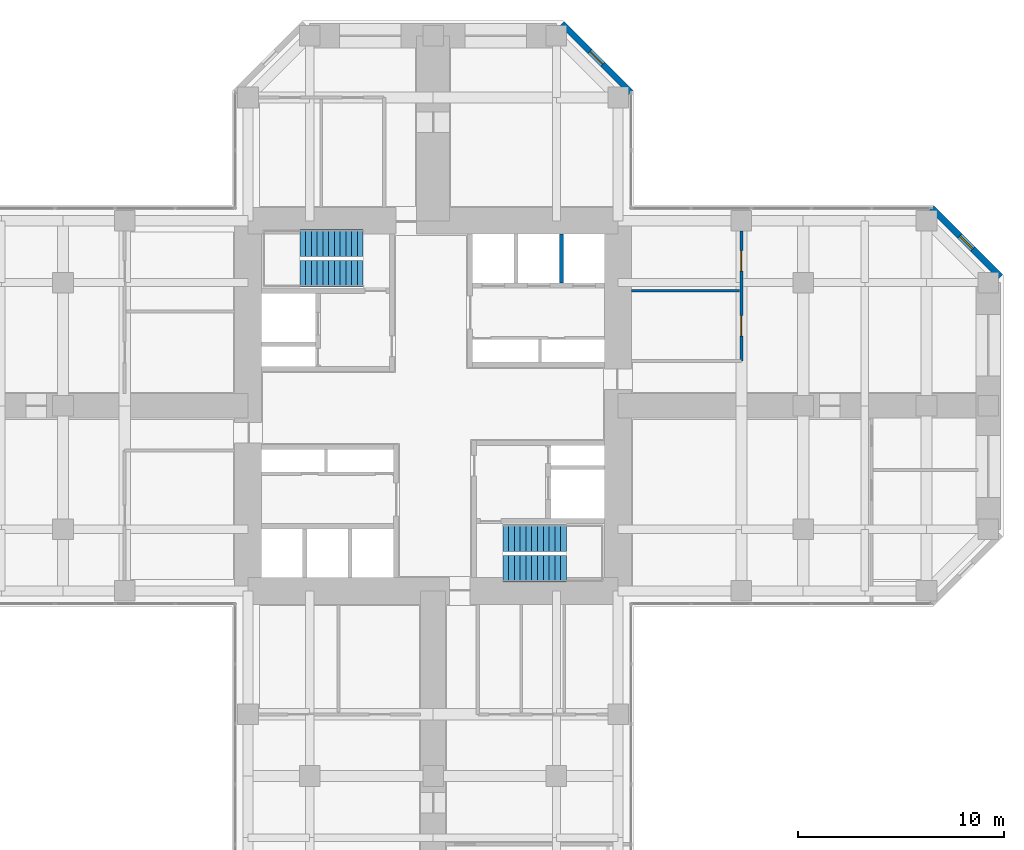
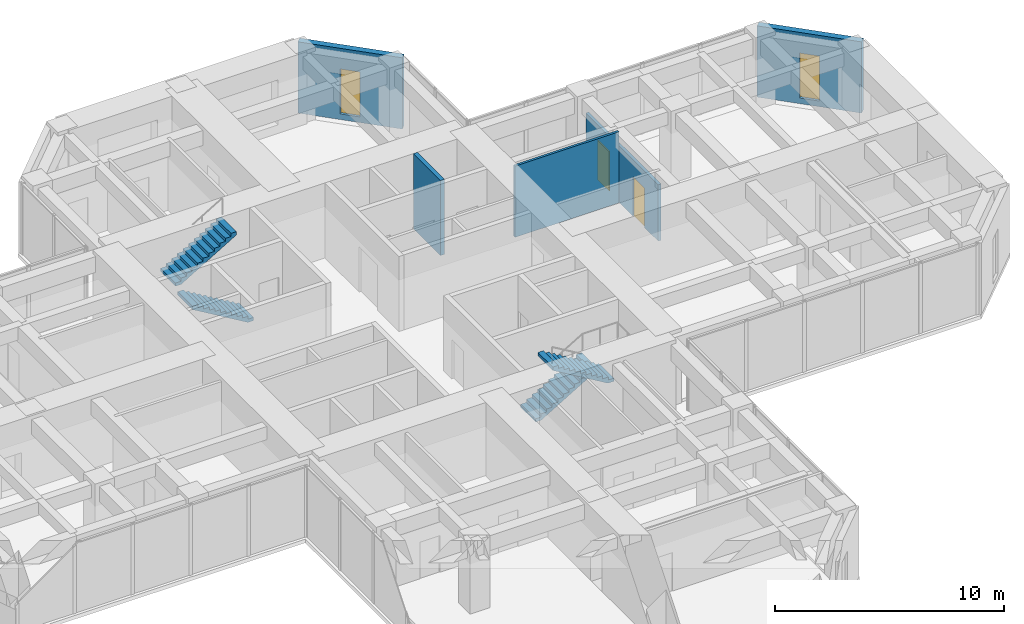
# One storey, part 11 of 12: 5 walls, 4 stair flights, 2 doors, 2 windows, 4 openings, 2 elements without a shape of their own.
"""IFC4 building model written with IfcOpenShell, lengths in metres."""

import ifcopenshell
import ifcopenshell.guid

model = None  # the IFC model being written
_history = None  # IfcOwnerHistory: only IFC2X3 demands one
_inside = {}  # id of a spatial element -> (the spatial element, [elements in it])
_under = {}  # id of a project, library or spatial element -> (it, [spatial elements below it])
_declared = {}  # id of a project -> (the project, [libraries it declares])
_typed = {}  # id of a type object -> (the type object, [elements of that type])
_made_of = {}  # id of a material, layer set ... -> (it, [elements and type objects made of it])


def new_model(schema):
    """Start an empty IFC model of exactly this schema.

    Asked for "IFC4X3", IfcOpenShell would pick the latest addendum, in which some entities
    have other attributes; the version numbers below select the first issue.
    IFC2X3 requires an IfcOwnerHistory on every rooted entity: one is made here for all.
    """
    global model, _history
    if schema == "IFC4X3":
        model = ifcopenshell.file(schema_version=(4, 3, 0, 0))
    else:
        model = ifcopenshell.file(schema=schema)
    _inside.clear()
    _under.clear()
    _declared.clear()
    _typed.clear()
    _made_of.clear()
    _history = None
    if model.schema == "IFC2X3":
        org = make("IfcOrganization", Name="unknown")
        user = make(
            "IfcPersonAndOrganization",
            ThePerson=make("IfcPerson", FamilyName="unknown"),
            TheOrganization=org,
        )
        app = make(
            "IfcApplication",
            ApplicationDeveloper=org,
            Version="unknown",
            ApplicationFullName="unknown",
            ApplicationIdentifier="unknown",
        )
        _history = make(
            "IfcOwnerHistory",
            OwningUser=user,
            OwningApplication=app,
            ChangeAction="ADDED",
            CreationDate=0,
        )
    return model


def make(cls, **values):
    """One entity of the class cls with the attributes given. An attribute that is None is left unset."""
    return model.create_entity(
        cls, **{name: value for name, value in values.items() if value is not None}
    )


def rooted(cls, **values):
    """An entity with a GlobalId (a new one), such as an element, a storey or a relation."""
    return make(cls, GlobalId=ifcopenshell.guid.new(), OwnerHistory=_history, **values)


def si_unit(unit_type, name, prefix=None):
    """IfcSIUnit, for example si_unit("LENGTHUNIT", "METRE", prefix="MILLI")."""
    return make("IfcSIUnit", UnitType=unit_type, Prefix=prefix, Name=name)


def assignment(units):
    """IfcUnitAssignment: the units of a project."""
    return None if units is None else make("IfcUnitAssignment", Units=units)


def point(xyz):
    """IfcCartesianPoint."""
    return None if xyz is None else make("IfcCartesianPoint", Coordinates=xyz)


def direction(xyz):
    """IfcDirection."""
    return None if xyz is None else make("IfcDirection", DirectionRatios=xyz)


def frame(location, z_axis=None, x_axis=None):
    """IfcAxis2Placement3D, a coordinate frame: its origin and axes. An axis left out is left unset."""
    return make(
        "IfcAxis2Placement3D",
        Location=point(location),
        Axis=direction(z_axis),
        RefDirection=direction(x_axis),
    )


def frame_2d(location, x_axis=None):
    """IfcAxis2Placement2D, a coordinate frame in the plane: its origin and x axis."""
    return make(
        "IfcAxis2Placement2D", Location=point(location), RefDirection=direction(x_axis)
    )


def origin():
    """The frame at (0, 0, 0) with its axes left unset."""
    return frame((0.0, 0.0, 0.0))


def place(relative_to, where):
    """IfcLocalPlacement: puts the frame where relative to a parent placement (None: the world)."""
    return make(
        "IfcLocalPlacement", PlacementRelTo=relative_to, RelativePlacement=where
    )


def context(
    kind, dimensions, precision=None, world=None, true_north=None, identifier=None
):
    """IfcGeometricRepresentationContext, for example the 3D "Model" context."""
    return make(
        "IfcGeometricRepresentationContext",
        ContextIdentifier=identifier,
        ContextType=kind,
        CoordinateSpaceDimension=dimensions,
        Precision=precision,
        WorldCoordinateSystem=world,
        TrueNorth=true_north,
    )


def subcontext(parent, identifier, kind, view, scale=None):
    """IfcGeometricRepresentationSubContext, for example "Body" below "Model"."""
    return make(
        "IfcGeometricRepresentationSubContext",
        ContextIdentifier=identifier,
        ContextType=kind,
        ParentContext=parent,
        TargetScale=scale,
        TargetView=view,
    )


def project(units=None, contexts=None):
    """IfcProject with its units and contexts."""
    return rooted(
        "IfcProject",
        Name="project",
        RepresentationContexts=contexts,
        UnitsInContext=assignment(units),
    )


def spatial(cls, under=None, at=None, **own):
    """A site, building, storey or space (cls), placed at a placement, below another one or the project."""
    s = rooted(cls, ObjectPlacement=at, **own)
    if under is not None:
        _under.setdefault(under.id(), (under, []))[1].append(s)
    return s


def polyline(points):
    """IfcPolyline through the points."""
    return make("IfcPolyline", Points=[point(p) for p in points])


def profile(cls, at=None, kind="AREA", **sizes):
    """A parametric profile (cls). Its sizes go by their IFC names, for example OverallWidth=200.0."""
    return make(cls, ProfileType=kind, Position=at, **sizes)


def rectangle(**sizes):
    """IfcRectangleProfileDef."""
    return profile("IfcRectangleProfileDef", **sizes)


def hollow_rectangle(**sizes):
    """IfcRectangleHollowProfileDef."""
    return profile("IfcRectangleHollowProfileDef", **sizes)


def outline(outer, holes=None, kind="AREA"):
    """IfcArbitraryClosedProfileDef: a profile drawn as a closed curve; with holes, ...WithVoids."""
    if holes is None:
        return make("IfcArbitraryClosedProfileDef", ProfileType=kind, OuterCurve=outer)
    return make(
        "IfcArbitraryProfileDefWithVoids",
        ProfileType=kind,
        OuterCurve=outer,
        InnerCurves=holes,
    )


def extrude(swept, where, along, depth):
    """IfcExtrudedAreaSolid: the profile swept, set in the frame where, extruded along a direction by depth."""
    return make(
        "IfcExtrudedAreaSolid",
        SweptArea=swept,
        Position=where,
        ExtrudedDirection=direction(along),
        Depth=depth,
    )


def shape(context_of_items, identifier, shape_type, items):
    """IfcShapeRepresentation: the items that make up one representation, for example the "Body"."""
    return make(
        "IfcShapeRepresentation",
        ContextOfItems=context_of_items,
        RepresentationIdentifier=identifier,
        RepresentationType=shape_type,
        Items=items,
    )


def material(Name=None, Category=None):
    """IfcMaterial."""
    return make("IfcMaterial", Name=Name, Category=Category)


def layer(
    of_material, thickness, ventilated=None, Name=None, Category=None, Priority=None
):
    """IfcMaterialLayer: one layer of a wall or slab, of a material (None: an air gap)."""
    return make(
        "IfcMaterialLayer",
        Material=of_material,
        LayerThickness=thickness,
        IsVentilated=ventilated,
        Name=Name,
        Category=Category,
        Priority=Priority,
    )


def layer_set(layers, Name=None):
    """IfcMaterialLayerSet."""
    return make("IfcMaterialLayerSet", MaterialLayers=layers, LayerSetName=Name)


def constituent(of_material, Name=None, Category=None, fraction=None):
    """IfcMaterialConstituent: one of the materials an element consists of."""
    return make(
        "IfcMaterialConstituent",
        Name=Name,
        Material=of_material,
        Fraction=fraction,
        Category=Category,
    )


def constituent_set(constituents=None, Name=None):
    """IfcMaterialConstituentSet."""
    return make(
        "IfcMaterialConstituentSet", Name=Name, MaterialConstituents=constituents
    )


def made_of(thing, what):
    """Note that an element or type object is made of a material, layer set ...; save() writes the relation."""
    if what is not None:
        _made_of.setdefault(what.id(), (what, []))[1].append(thing)
    return thing


def type_object(cls, material=None, **own):
    """A type object (cls), such as IfcWallType, which elements share."""
    return made_of(rooted(cls, **own), material)


def element(
    cls,
    number,
    at=None,
    inside=None,
    cuts=None,
    type_object=None,
    material=None,
    context=None,
    identifier="Body",
    shape_type=None,
    held_by="IfcProductDefinitionShape",
    body=None,
    shapes=None,
    **own,
):
    """One element of the class cls, such as IfcWall. Its Tag is "e" and its number.

    at: its placement. inside: the storey or other place that contains it. cuts: it is an
    opening in that element (IfcRelVoidsElement). A single representation is given by context,
    identifier, shape_type and body (its items); several are given by shapes. held_by: the class
    of the entity that holds the representations. save() writes the other relations.
    """
    e = rooted(cls, Tag="e%d" % number, ObjectPlacement=at, **own)
    if body is not None:
        shapes = [shape(context, identifier, shape_type, body)]
    if shapes is not None:
        e.Representation = make(held_by, Representations=shapes)
    if inside is not None:
        _inside.setdefault(inside.id(), (inside, []))[1].append(e)
    if cuts is not None:
        rooted(
            "IfcRelVoidsElement", RelatingBuildingElement=cuts, RelatedOpeningElement=e
        )
    if type_object is not None:
        _typed.setdefault(type_object.id(), (type_object, []))[1].append(e)
    return made_of(e, material)


def fill(opening, filler):
    """IfcRelFillsElement: the door or window that sits in an opening."""
    return rooted(
        "IfcRelFillsElement",
        RelatingOpeningElement=opening,
        RelatedBuildingElement=filler,
    )


def aggregate(whole, parts):
    """IfcRelAggregates: a whole, such as a stair, and the parts it consists of."""
    return rooted("IfcRelAggregates", RelatingObject=whole, RelatedObjects=parts)


def save(model, path):
    """Write the relations noted so far, then the file.

    IfcRelAggregates (storeys below a building ...), IfcRelContainedInSpatialStructure (elements
    in a storey), IfcRelDefinesByType, IfcRelAssociatesMaterial and IfcRelDeclares: one each for
    every whole, place, type object, material and project.
    """
    for whole, parts in _under.values():
        aggregate(whole, parts)
    for where, things in _inside.values():
        rooted(
            "IfcRelContainedInSpatialStructure",
            RelatedElements=things,
            RelatingStructure=where,
        )
    for kind, things in _typed.values():
        rooted("IfcRelDefinesByType", RelatedObjects=things, RelatingType=kind)
    for what, things in _made_of.values():
        rooted("IfcRelAssociatesMaterial", RelatedObjects=things, RelatingMaterial=what)
    for by, libraries in _declared.values():
        rooted("IfcRelDeclares", RelatingContext=by, RelatedDefinitions=libraries)
    model.write(path)


model = new_model("IFC4")

# Units and contexts
model_context = context("Model", 3, precision=1e-05, world=origin(), true_north=direction((0.0, 1.0)))
body_context = subcontext(model_context, "Body", "Model", "MODEL_VIEW")
ifc_project = project(units=[si_unit("LENGTHUNIT", "METRE"), si_unit("AREAUNIT", "SQUARE_METRE"), si_unit("VOLUMEUNIT", "CUBIC_METRE"), si_unit("PLANEANGLEUNIT", "RADIAN"), si_unit("MASSUNIT", "GRAM", prefix="KILO")], contexts=[model_context])

# Site, building, storey
site_placement = place(None, origin())
site = spatial("IfcSite", under=ifc_project, at=site_placement, CompositionType="ELEMENT")
building_placement = place(site_placement, origin())
building = spatial("IfcBuilding", under=site, at=building_placement, Name="Torre Cruceta", CompositionType="ELEMENT")
storey_placement = place(building_placement, frame((0.0, 0.0, 120.5)))
storey = spatial("IfcBuildingStorey", under=building, at=storey_placement, Name="L29", CompositionType="ELEMENT", Elevation=120.5)

# Wall, opening, window
ifc_material_1 = material(Name="Concrete G30 (fck 30 MPa)", Category="concrete")
ifc_layer_1 = layer(ifc_material_1, 0.300048828125)
ifc_layer_set_1 = layer_set([ifc_layer_1], Name="Concrete G30 (fck 30 MPa)")
wall_type_1 = type_object("IfcWallType", Name="EXPOSED CONCRETE FACADE WALL 300", PredefinedType="SOLIDWALL", material=ifc_layer_set_1)
wall_1_placement = place(storey_placement, frame((27.60009765625, 6.27685546875, 0.0), z_axis=(0.0, 0.0, 1.0), x_axis=(-0.707106781187, 0.707106781187, 0.0)))
wall_1 = element("IfcWall", 1, at=wall_1_placement, inside=storey, type_object=wall_type_1, Name="EW1 facade wall L29 E chamfer 03", PredefinedType="SOLIDWALL", context=body_context, shape_type="SweptSolid", body=[
    extrude(rectangle(XDim=4.72802734375, YDim=0.300048828125, at=frame_2d((2.364013671875, 0.0))), origin(), (0.0, 0.0, 1.0), 3.800048828125),
])
opening_1_placement = place(wall_1_placement, frame((1.9140625, 0.0, 0.300048828125)))
opening_1 = element("IfcOpeningElement", 2, at=opening_1_placement, cuts=wall_1, Name="Opening WN5", PredefinedType="OPENING", context=body_context, shape_type="SweptSolid", body=[
    extrude(rectangle(XDim=0.89990234375, YDim=2.39990234375, at=frame_2d((0.449951171875, 1.199951171875))), frame((0.0, 0.159912109375, 0.0), z_axis=(0.0, -1.0, 0.0), x_axis=(1.0, 0.0, 0.0)), (0.0, 0.0, 1.0), 0.320068359375),
])
ifc_material_2 = material(Name="Aluminium window frame", Category="aluminium")
ifc_constituent_1 = constituent(ifc_material_2, Name="Frame")
ifc_material_3 = material(Name="Laminated insulating glass unit, low-iron clear", Category="glass")
ifc_constituent_2 = constituent(ifc_material_3, Name="Glazing")
ifc_constituent_set_1 = constituent_set(constituents=[ifc_constituent_1, ifc_constituent_2], Name="Aluminium window")
window_type = type_object("IfcWindowType", Name="CHAMFER SLOT WINDOW 900X2400", PartitioningType="SINGLE_PANEL", PredefinedType="WINDOW", material=ifc_constituent_set_1)
window_1_placement = place(opening_1_placement, origin())
window_1 = element("IfcWindow", 3, at=window_1_placement, inside=storey, type_object=window_type, Name="WN5 L29 E 1", OverallHeight=2.39990234375, OverallWidth=0.89990234375, PartitioningType="SINGLE_PANEL", PredefinedType="WINDOW", context=body_context, shape_type="SweptSolid", body=[
    extrude(hollow_rectangle(XDim=0.89990234375, YDim=2.39990234375, WallThickness=0.06005859375, at=frame_2d((0.449951171875, 1.199951171875))), frame((0.0, 0.030029296875, 0.0), z_axis=(0.0, -1.0, 0.0), x_axis=(1.0, 0.0, 0.0)), (0.0, 0.0, 1.0), 0.06005859375),
    extrude(rectangle(XDim=0.77880859375, YDim=2.27880859375, at=frame_2d((0.449951171875, 1.199951171875))), frame((0.0, 0.030029296875, 0.0), z_axis=(0.0, -1.0, 0.0), x_axis=(1.0, 0.0, 0.0)), (0.0, 0.0, 1.0), 0.06005859375),
])
fill(opening_1, window_1)

wall_2_placement = place(storey_placement, frame((9.6201171875, 15.2568359375, 0.0), z_axis=(0.0, 0.0, 1.0), x_axis=(-0.707106781187, 0.707106781187, 0.0)))
wall_2 = element("IfcWall", 4, at=wall_2_placement, inside=storey, type_object=wall_type_1, Name="EW1 facade wall L29 N chamfer 06", PredefinedType="SOLIDWALL", context=body_context, shape_type="SweptSolid", body=[
    extrude(rectangle(XDim=4.72802734375, YDim=0.300048828125, at=frame_2d((2.364013671875, 0.0))), origin(), (0.0, 0.0, 1.0), 3.800048828125),
])
opening_2_placement = place(wall_2_placement, frame((1.9140625, 0.0, 0.300048828125)))
opening_2 = element("IfcOpeningElement", 5, at=opening_2_placement, cuts=wall_2, Name="Opening WN5", PredefinedType="OPENING", context=body_context, shape_type="SweptSolid", body=[
    extrude(rectangle(XDim=0.89990234375, YDim=2.39990234375, at=frame_2d((0.449951171875, 1.199951171875))), frame((0.0, 0.159912109375, 0.0), z_axis=(0.0, -1.0, 0.0), x_axis=(1.0, 0.0, 0.0)), (0.0, 0.0, 1.0), 0.320068359375),
])
window_2_placement = place(opening_2_placement, origin())
window_2 = element("IfcWindow", 6, at=window_2_placement, inside=storey, type_object=window_type, Name="WN5 L29 N 1", OverallHeight=2.39990234375, OverallWidth=0.89990234375, PartitioningType="SINGLE_PANEL", PredefinedType="WINDOW", context=body_context, shape_type="SweptSolid", body=[
    extrude(hollow_rectangle(XDim=0.89990234375, YDim=2.39990234375, WallThickness=0.06005859375, at=frame_2d((0.449951171875, 1.199951171875))), frame((0.0, 0.030029296875, 0.0), z_axis=(0.0, -1.0, 0.0), x_axis=(1.0, 0.0, 0.0)), (0.0, 0.0, 1.0), 0.06005859375),
    extrude(rectangle(XDim=0.77880859375, YDim=2.27880859375, at=frame_2d((0.449951171875, 1.199951171875))), frame((0.0, 0.030029296875, 0.0), z_axis=(0.0, -1.0, 0.0), x_axis=(1.0, 0.0, 0.0)), (0.0, 0.0, 1.0), 0.06005859375),
])
fill(opening_2, window_2)

# Wall
ifc_material_4 = material(Name="Concrete G35 (fck 35 MPa)", Category="concrete")
ifc_layer_2 = layer(ifc_material_4, 0.199951171875)
ifc_layer_set_2 = layer_set([ifc_layer_2], Name="Concrete G35 (fck 35 MPa)")
wall_type_2 = type_object("IfcWallType", Name="LIFT SHAFT WALL 200", PredefinedType="PARTITIONING", material=ifc_layer_set_2)
wall_3_placement = place(storey_placement, frame((6.24169921875, 5.97509765625, 0.0), z_axis=(0.0, 0.0, 1.0), x_axis=(0.0, 1.0, 0.0)))
element("IfcWall", 7, at=wall_3_placement, inside=storey, type_object=wall_type_2, Name="SW1 L29 NE-LS2", PredefinedType="PARTITIONING", context=body_context, shape_type="SweptSolid", body=[
    extrude(rectangle(XDim=2.375, YDim=0.199951171875, at=frame_2d((1.1875, 0.0))), origin(), (0.0, 0.0, 1.0), 4.0),
])

# Wall, openings, doors
ifc_material_5 = material(Name="Plasterboard on steel studs", Category="steel")
ifc_layer_3 = layer(ifc_material_5, 0.14990234375)
ifc_layer_set_3 = layer_set([ifc_layer_3], Name="Plasterboard on steel studs")
wall_type_3 = type_object("IfcWallType", Name="PARTITION 150", PredefinedType="PARTITIONING", material=ifc_layer_set_3)
wall_4_placement = place(storey_placement, frame((15.0, 2.175048828125, 0.0), z_axis=(0.0, 0.0, 1.0), x_axis=(0.0, 1.0, 0.0)))
wall_4 = element("IfcWall", 8, at=wall_4_placement, inside=storey, type_object=wall_type_3, Name="PT1 L29-E-BFL", PredefinedType="PARTITIONING", context=body_context, shape_type="SweptSolid", body=[
    extrude(rectangle(XDim=6.324951171875, YDim=0.14990234375, at=frame_2d((3.16259765625, 0.0))), origin(), (0.0, 0.0, 1.0), 3.0),
])
opening_3_placement = place(wall_4_placement, frame((1.216796875, 0.0, 0.0)))
opening_3 = element("IfcOpeningElement", 9, at=opening_3_placement, cuts=wall_4, Name="Opening D3", PredefinedType="OPENING", context=body_context, shape_type="SweptSolid", body=[
    extrude(rectangle(XDim=1.0, YDim=2.10009765625, at=frame_2d((0.5, 1.050048828125))), frame((0.0, 0.0849609375, 0.0), z_axis=(0.0, -1.0, 0.0), x_axis=(1.0, 0.0, 0.0)), (0.0, 0.0, 1.0), 0.169921875),
])
opening_4_placement = place(wall_4_placement, frame((4.37939453125, 0.0, 0.0)))
opening_4 = element("IfcOpeningElement", 10, at=opening_4_placement, cuts=wall_4, Name="Opening D3", PredefinedType="OPENING", context=body_context, shape_type="SweptSolid", body=[
    extrude(rectangle(XDim=1.0, YDim=2.10009765625, at=frame_2d((0.5, 1.050048828125))), frame((0.0, 0.0849609375, 0.0), z_axis=(0.0, -1.0, 0.0), x_axis=(1.0, 0.0, 0.0)), (0.0, 0.0, 1.0), 0.169921875),
])
ifc_material_6 = material(Name="Steel DX51D", Category="steel")
ifc_constituent_3 = constituent(ifc_material_6, Name="Leaf and frame")
ifc_material_7 = material(Name="Polyester powder coating", Category="paint")
ifc_constituent_4 = constituent(ifc_material_7, Name="Finish")
ifc_constituent_set_2 = constituent_set(constituents=[ifc_constituent_3, ifc_constituent_4], Name="Steel fire door")
door_type = type_object("IfcDoorType", Name="FIRE DOOR 1000X2100", OperationType="SINGLE_SWING_LEFT", PredefinedType="DOOR", material=ifc_constituent_set_2)
door_1_placement = place(opening_3_placement, origin())
door_1 = element("IfcDoor", 11, at=door_1_placement, inside=storey, type_object=door_type, Name="D3 L29-E-BFL-D1", OperationType="SINGLE_SWING_LEFT", OverallHeight=2.10009765625, OverallWidth=1.0, PredefinedType="DOOR", context=body_context, shape_type="SweptSolid", body=[
    extrude(rectangle(XDim=1.0, YDim=2.10009765625, at=frame_2d((0.5, 1.050048828125))), frame((0.0, 0.02490234375, 0.0), z_axis=(0.0, -1.0, 0.0), x_axis=(1.0, 0.0, 0.0)), (0.0, 0.0, 1.0), 0.050048828125),
])
fill(opening_3, door_1)
door_2_placement = place(opening_4_placement, origin())
door_2 = element("IfcDoor", 12, at=door_2_placement, inside=storey, type_object=door_type, Name="D3 L29-E-BFL-D2", OperationType="SINGLE_SWING_LEFT", OverallHeight=2.10009765625, OverallWidth=1.0, PredefinedType="DOOR", context=body_context, shape_type="SweptSolid", body=[
    extrude(rectangle(XDim=1.0, YDim=2.10009765625, at=frame_2d((0.5, 1.050048828125))), frame((0.0, 0.02490234375, 0.0), z_axis=(0.0, -1.0, 0.0), x_axis=(1.0, 0.0, 0.0)), (0.0, 0.0, 1.0), 0.050048828125),
])
fill(opening_4, door_2)

# Wall
ifc_material_8 = material(Name="Plasterboard on steel studs", Category="steel")
ifc_layer_4 = layer(ifc_material_8, 0.1201171875)
ifc_layer_set_4 = layer_set([ifc_layer_4], Name="Plasterboard on steel studs")
wall_type_4 = type_object("IfcWallType", Name="WC PARTITION 120", PredefinedType="PLUMBINGWALL", material=ifc_layer_set_4)
wall_5_placement = place(storey_placement, frame((9.64990234375, 5.608642578125, 0.0), z_axis=(0.0, 0.0, 1.0), x_axis=(1.0, 0.0, 0.0)))
element("IfcWall", 13, at=wall_5_placement, inside=storey, type_object=wall_type_4, Name="PT5 L29-E-BDL1", PredefinedType="PLUMBINGWALL", context=body_context, shape_type="SweptSolid", body=[
    extrude(rectangle(XDim=5.25, YDim=0.1201171875, at=frame_2d((2.625, 0.0))), origin(), (0.0, 0.0, 1.0), 3.800048828125),
])

# Stair, stair flights
ifc_material_9 = material(Name="Concrete G30 (fck 30 MPa)", Category="concrete")
stair_type = type_object("IfcStairType", Name="STAIR HALF-TURN 1300", PredefinedType="HALF_TURN_STAIR", material=ifc_material_9)
stair_1_placement = place(storey_placement, origin())
stair_1 = element("IfcStair", 14, at=stair_1_placement, inside=storey, type_object=stair_type, Name="Stair ST1 L29", PredefinedType="HALF_TURN_STAIR")
ifc_material_10 = material(Name="Concrete G30 (fck 30 MPa)", Category="concrete")
stair_flight_type = type_object("IfcStairFlightType", Name="STAIR FLIGHT 1300", PredefinedType="STRAIGHT", material=ifc_material_10)
stair_flight_1_placement = place(storey_placement, frame((-3.39990234375, 6.425048828125, 0.0), z_axis=(0.0, 0.0, 1.0), x_axis=(-1.0, 0.0, 0.0)))
stair_flight_1 = element("IfcStairFlight", 15, at=stair_flight_1_placement, type_object=stair_flight_type, Name="ST1 flight 1", NumberOfRisers=12, NumberOfTreads=11, PredefinedType="STRAIGHT", RiserHeight=0.166666667, TreadLength=0.28, context=body_context, shape_type="SweptSolid", body=[
    extrude(outline(polyline([(0.0, 0.0), (0.0, 0.166748046875), (0.280029296875, 0.166748046875), (0.280029296875, 0.333251953125), (0.56005859375, 0.333251953125), (0.56005859375, 0.5), (0.840087890625, 0.5), (0.840087890625, 0.666748046875), (1.1201171875, 0.666748046875), (1.1201171875, 0.833251953125), (1.39990234375, 0.833251953125), (1.39990234375, 1.0), (1.679931640625, 1.0), (1.679931640625, 1.166748046875), (1.9599609375, 1.166748046875), (1.9599609375, 1.333251953125), (2.239990234375, 1.333251953125), (2.239990234375, 1.5), (2.52001953125, 1.5), (2.52001953125, 1.666748046875), (2.800048828125, 1.666748046875), (2.800048828125, 1.833251953125), (3.080078125, 1.833251953125), (3.080078125, 2.0), (3.080078125, 1.658935546875), (0.29296875, 0.0), (0.0, 0.0)])), frame((0.0, 0.64990234375, 0.0), z_axis=(0.0, -1.0, 0.0), x_axis=(1.0, 0.0, 0.0)), (0.0, 0.0, 1.0), 1.300048828125),
])
stair_flight_2_placement = place(storey_placement, frame((-6.47998046875, 7.925048828125, 2.0), z_axis=(0.0, 0.0, 1.0), x_axis=(1.0, 0.0, 0.0)))
stair_flight_2 = element("IfcStairFlight", 16, at=stair_flight_2_placement, type_object=stair_flight_type, Name="ST1 flight 2", NumberOfRisers=12, NumberOfTreads=11, PredefinedType="STRAIGHT", RiserHeight=0.166666667, TreadLength=0.28, context=body_context, shape_type="SweptSolid", body=[
    extrude(outline(polyline([(0.0, 0.0), (0.0, 0.166748046875), (0.280029296875, 0.166748046875), (0.280029296875, 0.333251953125), (0.56005859375, 0.333251953125), (0.56005859375, 0.5), (0.840087890625, 0.5), (0.840087890625, 0.666748046875), (1.1201171875, 0.666748046875), (1.1201171875, 0.833251953125), (1.39990234375, 0.833251953125), (1.39990234375, 1.0), (1.679931640625, 1.0), (1.679931640625, 1.166748046875), (1.9599609375, 1.166748046875), (1.9599609375, 1.333251953125), (2.239990234375, 1.333251953125), (2.239990234375, 1.5), (2.52001953125, 1.5), (2.52001953125, 1.666748046875), (2.800048828125, 1.666748046875), (2.800048828125, 1.833251953125), (3.080078125, 1.833251953125), (3.080078125, 2.0), (3.080078125, 1.658935546875), (0.29296875, 0.0), (0.0, 0.0)])), frame((0.0, 0.64990234375, 0.0), z_axis=(0.0, -1.0, 0.0), x_axis=(1.0, 0.0, 0.0)), (0.0, 0.0, 1.0), 1.300048828125),
])
aggregate(stair_1, [stair_flight_1, stair_flight_2])

stair_2_placement = place(storey_placement, origin())
stair_2 = element("IfcStair", 17, at=stair_2_placement, inside=storey, type_object=stair_type, Name="Stair ST2 L29", PredefinedType="HALF_TURN_STAIR")
stair_flight_3_placement = place(storey_placement, frame((3.39990234375, -6.425048828125, 0.0), z_axis=(0.0, 0.0, 1.0), x_axis=(1.0, 0.0, 0.0)))
stair_flight_3 = element("IfcStairFlight", 18, at=stair_flight_3_placement, type_object=stair_flight_type, Name="ST2 flight 1", NumberOfRisers=12, NumberOfTreads=11, PredefinedType="STRAIGHT", RiserHeight=0.166666667, TreadLength=0.28, context=body_context, shape_type="SweptSolid", body=[
    extrude(outline(polyline([(0.0, 0.0), (0.0, 0.166748046875), (0.280029296875, 0.166748046875), (0.280029296875, 0.333251953125), (0.56005859375, 0.333251953125), (0.56005859375, 0.5), (0.840087890625, 0.5), (0.840087890625, 0.666748046875), (1.1201171875, 0.666748046875), (1.1201171875, 0.833251953125), (1.39990234375, 0.833251953125), (1.39990234375, 1.0), (1.679931640625, 1.0), (1.679931640625, 1.166748046875), (1.9599609375, 1.166748046875), (1.9599609375, 1.333251953125), (2.239990234375, 1.333251953125), (2.239990234375, 1.5), (2.52001953125, 1.5), (2.52001953125, 1.666748046875), (2.800048828125, 1.666748046875), (2.800048828125, 1.833251953125), (3.080078125, 1.833251953125), (3.080078125, 2.0), (3.080078125, 1.658935546875), (0.29296875, 0.0), (0.0, 0.0)])), frame((0.0, 0.64990234375, 0.0), z_axis=(0.0, -1.0, 0.0), x_axis=(1.0, 0.0, 0.0)), (0.0, 0.0, 1.0), 1.300048828125),
])
stair_flight_4_placement = place(storey_placement, frame((6.47998046875, -7.925048828125, 2.0), z_axis=(0.0, 0.0, 1.0), x_axis=(-1.0, 0.0, 0.0)))
stair_flight_4 = element("IfcStairFlight", 19, at=stair_flight_4_placement, type_object=stair_flight_type, Name="ST2 flight 2", NumberOfRisers=12, NumberOfTreads=11, PredefinedType="STRAIGHT", RiserHeight=0.166666667, TreadLength=0.28, context=body_context, shape_type="SweptSolid", body=[
    extrude(outline(polyline([(0.0, 0.0), (0.0, 0.166748046875), (0.280029296875, 0.166748046875), (0.280029296875, 0.333251953125), (0.56005859375, 0.333251953125), (0.56005859375, 0.5), (0.840087890625, 0.5), (0.840087890625, 0.666748046875), (1.1201171875, 0.666748046875), (1.1201171875, 0.833251953125), (1.39990234375, 0.833251953125), (1.39990234375, 1.0), (1.679931640625, 1.0), (1.679931640625, 1.166748046875), (1.9599609375, 1.166748046875), (1.9599609375, 1.333251953125), (2.239990234375, 1.333251953125), (2.239990234375, 1.5), (2.52001953125, 1.5), (2.52001953125, 1.666748046875), (2.800048828125, 1.666748046875), (2.800048828125, 1.833251953125), (3.080078125, 1.833251953125), (3.080078125, 2.0), (3.080078125, 1.658935546875), (0.29296875, 0.0), (0.0, 0.0)])), frame((0.0, 0.64990234375, 0.0), z_axis=(0.0, -1.0, 0.0), x_axis=(1.0, 0.0, 0.0)), (0.0, 0.0, 1.0), 1.300048828125),
])
aggregate(stair_2, [stair_flight_3, stair_flight_4])

save(model, "model.ifc")
